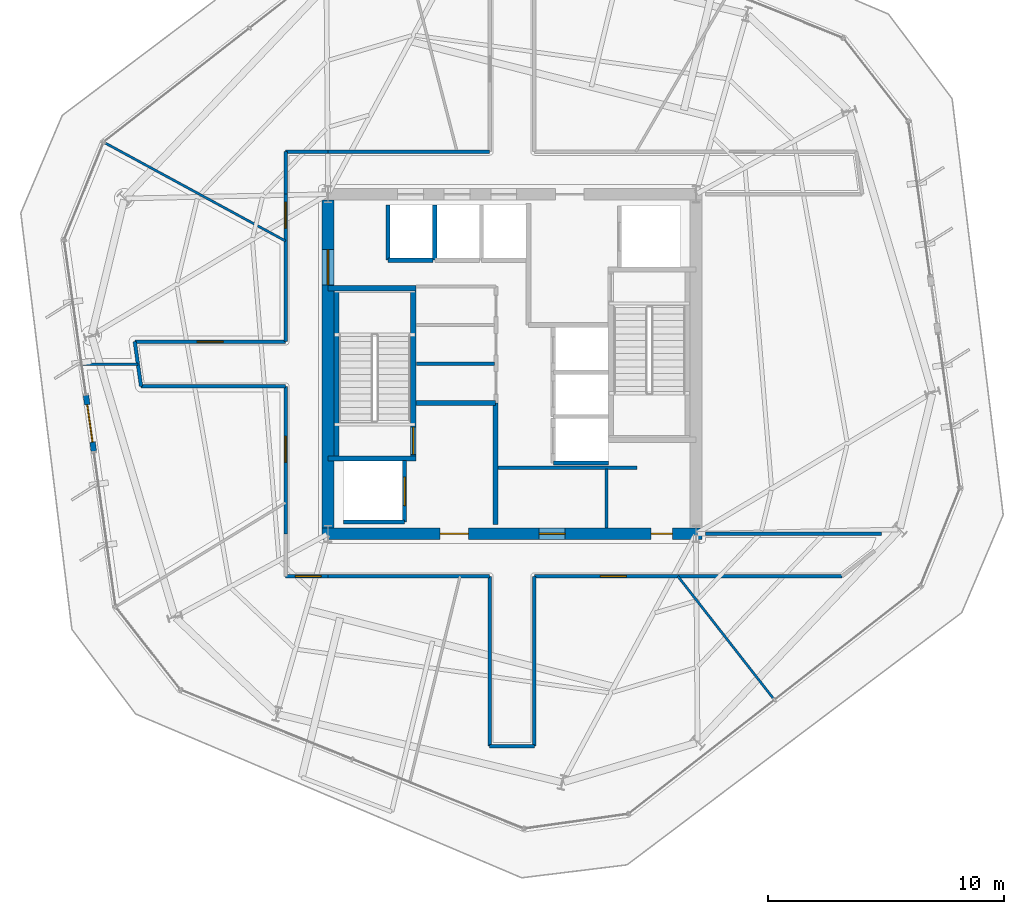
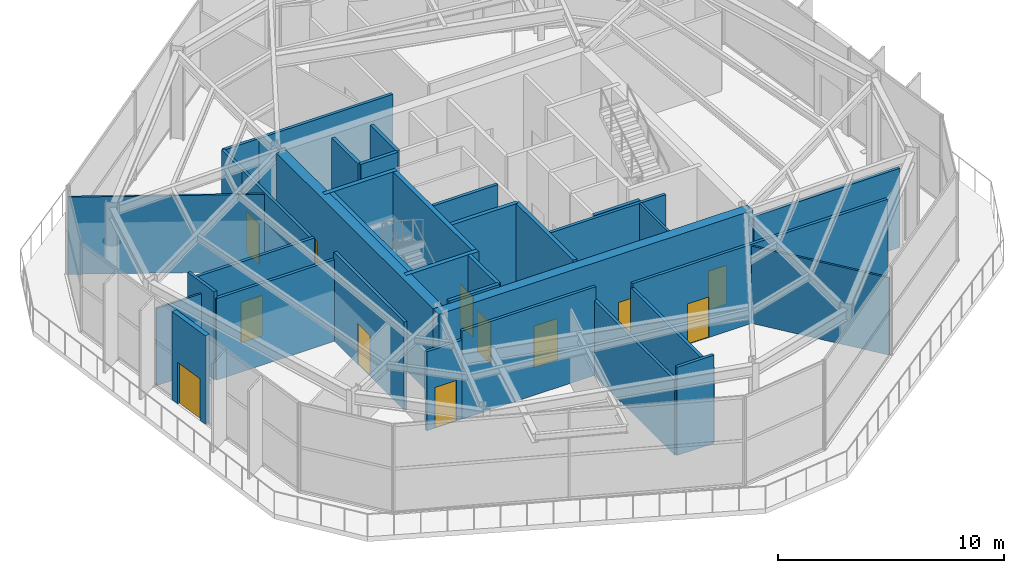
# One storey, part 9 of 14: 36 walls, 12 doors, 12 openings.
"""IFC4 building model written with IfcOpenShell, lengths in metres."""

from ifc_helpers import new_model, si_unit, direction, frame, frame_2d, origin, place, context, subcontext, project, spatial, rectangle, extrude, material, layer, layer_set, type_object, element, fill, save


model = new_model("IFC4")

# Units and contexts
model_context = context("Model", 3, precision=1e-05, world=origin(), true_north=direction((0.0, 1.0)))
body_context = subcontext(model_context, "Body", "Model", "MODEL_VIEW")
ifc_project = project(units=[si_unit("LENGTHUNIT", "METRE"), si_unit("AREAUNIT", "SQUARE_METRE"), si_unit("VOLUMEUNIT", "CUBIC_METRE"), si_unit("PLANEANGLEUNIT", "RADIAN"), si_unit("MASSUNIT", "GRAM", prefix="KILO")], contexts=[model_context])

# Site, building, storey
site_placement = place(None, origin())
site = spatial("IfcSite", under=ifc_project, at=site_placement, CompositionType="ELEMENT")
building_placement = place(site_placement, origin())
building = spatial("IfcBuilding", under=site, at=building_placement, Name="Kranzbogen Civic Tower", CompositionType="ELEMENT")
storey_placement = place(building_placement, frame((0.0, 0.0, 175.800048828125)))
storey = spatial("IfcBuildingStorey", under=building, at=storey_placement, Name="L42", CompositionType="ELEMENT", Elevation=175.800048828125)

# Wall
ifc_material_1 = material(Name="Double-Stud Acoustic Gypsum Partition")
ifc_layer_1 = layer(ifc_material_1, 0.14990234375, Name="Double-Stud Acoustic Gypsum Partition")
ifc_layer_set_1 = layer_set([ifc_layer_1], Name="Double-Stud Acoustic Gypsum Partition")
wall_type_1 = type_object("IfcWallType", Name="Acoustic Corridor and Clinical Partition 150 mm", PredefinedType="PARTITIONING", material=ifc_layer_set_1)
wall_1_placement = place(storey_placement, frame((24.39990234375, 20.610107421875, 0.0), z_axis=(0.0, 0.0, 1.0), x_axis=(1.0, 0.0, 0.0)))
element("IfcWall", 1, at=wall_1_placement, inside=storey, type_object=wall_type_1, Name="L42 records zone North wall", PredefinedType="PARTITIONING", context=body_context, shape_type="SweptSolid", body=[
    extrude(rectangle(XDim=5.900146484375, YDim=0.14990234375, at=frame_2d((2.9501953125, 0.0))), origin(), (0.0, 0.0, 1.0), 4.780029296875),
])

# Wall, opening, door
wall_2_placement = place(storey_placement, frame((17.199951171875, 16.0, 0.0), z_axis=(0.0, 0.0, 1.0), x_axis=(-1.0, 0.0, 0.0)))
wall_2 = element("IfcWall", 2, at=wall_2_placement, inside=storey, type_object=wall_type_1, Name="L42 corridor partition 01", PredefinedType="PARTITIONING", context=body_context, shape_type="SweptSolid", body=[
    extrude(rectangle(XDim=1.800048828125, YDim=0.14990234375, at=frame_2d((0.89990234375, 0.0))), origin(), (0.0, 0.0, 1.0), 4.280029296875),
])
opening_1_placement = place(wall_2_placement, frame((0.287109375, 0.0, 0.0)))
opening_1 = element("IfcOpeningElement", 3, at=opening_1_placement, cuts=wall_2, Name="Opening D-COR60", PredefinedType="OPENING", context=body_context, shape_type="SweptSolid", body=[
    extrude(rectangle(XDim=1.10009765625, YDim=2.199951171875, at=frame_2d((0.550048828125, 1.10009765625))), frame((0.0, 0.0849609375, 0.0), z_axis=(0.0, -1.0, 0.0), x_axis=(1.0, 0.0, 0.0)), (0.0, 0.0, 1.0), 0.169921875),
])
ifc_material_2 = material(Name="Oak Timber and Fire Core", Category="wood")
door_type_1 = type_object("IfcDoorType", Name="Corridor Acoustic Fire Door 1100x2200", OperationType="NOTDEFINED", PredefinedType="DOOR", material=ifc_material_2)
door_1_placement = place(opening_1_placement, origin())
door_1 = element("IfcDoor", 4, at=door_1_placement, inside=storey, type_object=door_type_1, Name="L42 Cultural Screening Clubroom door", OperationType="SINGLE_SWING_RIGHT", OverallHeight=2.199951171875, OverallWidth=1.10009765625, PredefinedType="DOOR", context=body_context, shape_type="SweptSolid", body=[
    extrude(rectangle(XDim=1.10009765625, YDim=2.199951171875, at=frame_2d((0.550048828125, 1.10009765625))), frame((0.0, 0.02490234375, 0.0), z_axis=(0.0, -1.0, 0.0), x_axis=(1.0, 0.0, 0.0)), (0.0, 0.0, 1.0), 0.050048828125),
])
fill(opening_1, door_1)

wall_3_placement = place(storey_placement, frame((15.39990234375, 17.800048828125, 0.0), z_axis=(0.0, 0.0, 1.0), x_axis=(0.0, 1.0, 0.0)))
wall_3 = element("IfcWall", 5, at=wall_3_placement, inside=storey, type_object=wall_type_1, Name="L42 corridor partition 03", PredefinedType="PARTITIONING", context=body_context, shape_type="SweptSolid", body=[
    extrude(rectangle(XDim=6.25, YDim=0.14990234375, at=frame_2d((3.125, 0.0))), origin(), (0.0, 0.0, 1.0), 4.780029296875),
])
opening_2_placement = place(wall_3_placement, frame((3.029052734375, 0.0, 0.0)))
opening_2 = element("IfcOpeningElement", 6, at=opening_2_placement, cuts=wall_3, Name="Opening D-COR60", PredefinedType="OPENING", context=body_context, shape_type="SweptSolid", body=[
    extrude(rectangle(XDim=1.10009765625, YDim=2.199951171875, at=frame_2d((0.550048828125, 1.10009765625))), frame((0.0, 0.0849609375, 0.0), z_axis=(0.0, -1.0, 0.0), x_axis=(1.0, 0.0, 0.0)), (0.0, 0.0, 1.0), 0.169921875),
])
door_2_placement = place(opening_2_placement, origin())
door_2 = element("IfcDoor", 7, at=door_2_placement, inside=storey, type_object=door_type_1, Name="L42 Urban Design Workshop door", OperationType="SINGLE_SWING_LEFT", OverallHeight=2.199951171875, OverallWidth=1.10009765625, PredefinedType="DOOR", context=body_context, shape_type="SweptSolid", body=[
    extrude(rectangle(XDim=1.10009765625, YDim=2.199951171875, at=frame_2d((0.550048828125, 1.10009765625))), frame((0.0, 0.02490234375, 0.0), z_axis=(0.0, -1.0, 0.0), x_axis=(1.0, 0.0, 0.0)), (0.0, 0.0, 1.0), 0.050048828125),
])
fill(opening_2, door_2)

# Walls
wall_4_placement = place(storey_placement, frame((15.39990234375, 24.050048828125, 0.0), z_axis=(0.0, 0.0, 1.0), x_axis=(-1.0, 0.0, 0.0)))
element("IfcWall", 8, at=wall_4_placement, inside=storey, type_object=wall_type_1, Name="L42 corridor partition 04", PredefinedType="PARTITIONING", context=body_context, shape_type="SweptSolid", body=[
    extrude(rectangle(XDim=6.1259765625, YDim=0.14990234375, at=frame_2d((3.06298828125, 0.0))), origin(), (0.0, 0.0, 1.0), 4.419921875),
])
wall_5_placement = place(storey_placement, frame((9.27392578125, 24.050048828125, 0.0), z_axis=(0.0, 0.0, 1.0), x_axis=(-0.139087149584, 0.990280144616, 0.0)))
element("IfcWall", 9, at=wall_5_placement, inside=storey, type_object=wall_type_1, Name="L42 corridor partition 05", PredefinedType="PARTITIONING", context=body_context, shape_type="SweptSolid", body=[
    extrude(rectangle(XDim=1.91845703125, YDim=0.14990234375, at=frame_2d((0.959228515625, 0.0))), origin(), (0.0, 0.0, 1.0), 4.780029296875),
])

# Wall, opening, door
wall_6_placement = place(storey_placement, frame((9.007080078125, 25.949951171875, 0.0), z_axis=(0.0, 0.0, 1.0), x_axis=(1.0, 0.0, 0.0)))
wall_6 = element("IfcWall", 10, at=wall_6_placement, inside=storey, type_object=wall_type_1, Name="L42 corridor partition 06", PredefinedType="PARTITIONING", context=body_context, shape_type="SweptSolid", body=[
    extrude(rectangle(XDim=6.392822265625, YDim=0.14990234375, at=frame_2d((3.1962890625, 0.0))), origin(), (0.0, 0.0, 1.0), 4.419921875),
])
opening_3_placement = place(wall_6_placement, frame((2.64697265625, 0.0, 0.0)))
opening_3 = element("IfcOpeningElement", 11, at=opening_3_placement, cuts=wall_6, Name="Opening D-COR60", PredefinedType="OPENING", context=body_context, shape_type="SweptSolid", body=[
    extrude(rectangle(XDim=1.10009765625, YDim=2.199951171875, at=frame_2d((0.550048828125, 1.10009765625))), frame((0.0, 0.0849609375, 0.0), z_axis=(0.0, -1.0, 0.0), x_axis=(1.0, 0.0, 0.0)), (0.0, 0.0, 1.0), 0.169921875),
])
door_3_placement = place(opening_3_placement, origin())
door_3 = element("IfcDoor", 12, at=door_3_placement, inside=storey, type_object=door_type_1, Name="L42 Civic Reference Library door", OperationType="SINGLE_SWING_RIGHT", OverallHeight=2.199951171875, OverallWidth=1.10009765625, PredefinedType="DOOR", context=body_context, shape_type="SweptSolid", body=[
    extrude(rectangle(XDim=1.10009765625, YDim=2.199951171875, at=frame_2d((0.550048828125, 1.10009765625))), frame((0.0, 0.02490234375, 0.0), z_axis=(0.0, -1.0, 0.0), x_axis=(1.0, 0.0, 0.0)), (0.0, 0.0, 1.0), 0.050048828125),
])
fill(opening_3, door_3)

wall_7_placement = place(storey_placement, frame((15.39990234375, 25.949951171875, 0.0), z_axis=(0.0, 0.0, 1.0), x_axis=(0.0, 1.0, 0.0)))
wall_7 = element("IfcWall", 13, at=wall_7_placement, inside=storey, type_object=wall_type_1, Name="L42 corridor partition 07", PredefinedType="PARTITIONING", context=body_context, shape_type="SweptSolid", body=[
    extrude(rectangle(XDim=6.25, YDim=0.14990234375, at=frame_2d((3.125, 0.0))), origin(), (0.0, 0.0, 1.0), 4.280029296875),
])
opening_4_placement = place(wall_7_placement, frame((4.81201171875, 0.0, 0.0)))
opening_4 = element("IfcOpeningElement", 14, at=opening_4_placement, cuts=wall_7, Name="Opening D-COR60", PredefinedType="OPENING", context=body_context, shape_type="SweptSolid", body=[
    extrude(rectangle(XDim=1.10009765625, YDim=2.199951171875, at=frame_2d((0.550048828125, 1.10009765625))), frame((0.0, 0.0849609375, 0.0), z_axis=(0.0, -1.0, 0.0), x_axis=(1.0, 0.0, 0.0)), (0.0, 0.0, 1.0), 0.169921875),
])
door_4_placement = place(opening_4_placement, origin())
door_4 = element("IfcDoor", 15, at=door_4_placement, inside=storey, type_object=door_type_1, Name="L42 Public Delegation Reception door", OperationType="SINGLE_SWING_RIGHT", OverallHeight=2.199951171875, OverallWidth=1.10009765625, PredefinedType="DOOR", context=body_context, shape_type="SweptSolid", body=[
    extrude(rectangle(XDim=1.10009765625, YDim=2.199951171875, at=frame_2d((0.550048828125, 1.10009765625))), frame((0.0, 0.02490234375, 0.0), z_axis=(0.0, -1.0, 0.0), x_axis=(1.0, 0.0, 0.0)), (0.0, 0.0, 1.0), 0.050048828125),
])
fill(opening_4, door_4)

# Walls
for number, where, z_axis, x_axis, name in (
    (16, (15.39990234375, 32.199951171875, 0.0), (0.0, 0.0, 1.0), (0.0, 1.0, 0.0), "L42 corridor partition 08"),
    (17, (15.39990234375, 34.0, 0.0), (0.0, 0.0, 1.0), (1.0, 0.0, 0.0), "L42 corridor partition 09"),
):
    element("IfcWall", number, at=place(storey_placement, frame(where, z_axis=z_axis, x_axis=x_axis)), inside=storey, type_object=wall_type_1, Name=name, PredefinedType="PARTITIONING", context=body_context, shape_type="SweptSolid", body=[
        extrude(rectangle(XDim=1.800048828125, YDim=0.14990234375, at=frame_2d((0.89990234375, 0.0))), origin(), (0.0, 0.0, 1.0), 4.280029296875),
    ])
wall_8_placement = place(storey_placement, frame((17.199951171875, 34.0, 0.0), z_axis=(0.0, 0.0, 1.0), x_axis=(1.0, 0.0, 0.0)))
element("IfcWall", 18, at=wall_8_placement, inside=storey, type_object=wall_type_1, Name="L42 corridor partition 10", PredefinedType="PARTITIONING", context=body_context, shape_type="SweptSolid", body=[
    extrude(rectangle(XDim=6.85009765625, YDim=0.14990234375, at=frame_2d((3.425048828125, 0.0))), origin(), (0.0, 0.0, 1.0), 4.280029296875),
])
wall_9_placement = place(storey_placement, frame((33.197998046875, 17.800048828125, 0.0), z_axis=(0.0, 0.0, 1.0), x_axis=(1.0, 0.0, 0.0)))
element("IfcWall", 19, at=wall_9_placement, inside=storey, type_object=wall_type_1, Name="L42 corridor partition 17", PredefinedType="PARTITIONING", context=body_context, shape_type="SweptSolid", body=[
    extrude(rectangle(XDim=7.467041015625, YDim=0.14990234375, at=frame_2d((3.7333984375, 0.0))), origin(), (0.0, 0.0, 1.0), 4.280029296875),
])

# Wall, opening, door
wall_10_placement = place(storey_placement, frame((38.989013671875, 16.0, 0.0), z_axis=(0.0, 0.0, 1.0), x_axis=(-1.0, 0.0, 0.0)))
wall_10 = element("IfcWall", 20, at=wall_10_placement, inside=storey, type_object=wall_type_1, Name="L42 corridor partition 19", PredefinedType="PARTITIONING", context=body_context, shape_type="SweptSolid", body=[
    extrude(rectangle(XDim=13.0390625, YDim=0.14990234375, at=frame_2d((6.51953125, 0.0))), origin(), (0.0, 0.0, 1.0), 4.280029296875),
])
opening_5_placement = place(wall_10_placement, frame((9.14404296875, 0.0, 0.0)))
opening_5 = element("IfcOpeningElement", 21, at=opening_5_placement, cuts=wall_10, Name="Opening D-COR60", PredefinedType="OPENING", context=body_context, shape_type="SweptSolid", body=[
    extrude(rectangle(XDim=1.10009765625, YDim=2.199951171875, at=frame_2d((0.550048828125, 1.10009765625))), frame((0.0, 0.0849609375, 0.0), z_axis=(0.0, -1.0, 0.0), x_axis=(1.0, 0.0, 0.0)), (0.0, 0.0, 1.0), 0.169921875),
])
door_5_placement = place(opening_5_placement, origin())
door_5 = element("IfcDoor", 22, at=door_5_placement, inside=storey, type_object=door_type_1, Name="L42 Staff Tea Pantry door", OperationType="SINGLE_SWING_LEFT", OverallHeight=2.199951171875, OverallWidth=1.10009765625, PredefinedType="DOOR", context=body_context, shape_type="SweptSolid", body=[
    extrude(rectangle(XDim=1.10009765625, YDim=2.199951171875, at=frame_2d((0.550048828125, 1.10009765625))), frame((0.0, 0.02490234375, 0.0), z_axis=(0.0, -1.0, 0.0), x_axis=(1.0, 0.0, 0.0)), (0.0, 0.0, 1.0), 0.050048828125),
])
fill(opening_5, door_5)

# Walls
wall_11_placement = place(storey_placement, frame((25.949951171875, 16.0, 0.0), z_axis=(0.0, 0.0, 1.0), x_axis=(0.0, -1.0, 0.0)))
element("IfcWall", 23, at=wall_11_placement, inside=storey, type_object=wall_type_1, Name="L42 corridor partition 20", PredefinedType="PARTITIONING", context=body_context, shape_type="SweptSolid", body=[
    extrude(rectangle(XDim=7.199951171875, YDim=0.14990234375, at=frame_2d((3.60009765625, 0.0))), origin(), (0.0, 0.0, 1.0), 4.050048828125),
])
wall_12_placement = place(storey_placement, frame((25.949951171875, 8.800048828125, 0.0), z_axis=(0.0, 0.0, 1.0), x_axis=(-1.0, 0.0, 0.0)))
element("IfcWall", 24, at=wall_12_placement, inside=storey, type_object=wall_type_1, Name="L42 corridor partition 21", PredefinedType="PARTITIONING", context=body_context, shape_type="SweptSolid", body=[
    extrude(rectangle(XDim=1.89990234375, YDim=0.14990234375, at=frame_2d((0.949951171875, 0.0))), origin(), (0.0, 0.0, 1.0), 4.780029296875),
])
wall_13_placement = place(storey_placement, frame((24.050048828125, 8.800048828125, 0.0), z_axis=(0.0, 0.0, 1.0), x_axis=(0.0, 1.0, 0.0)))
element("IfcWall", 25, at=wall_13_placement, inside=storey, type_object=wall_type_1, Name="L42 corridor partition 22", PredefinedType="PARTITIONING", context=body_context, shape_type="SweptSolid", body=[
    extrude(rectangle(XDim=7.199951171875, YDim=0.14990234375, at=frame_2d((3.60009765625, 0.0))), origin(), (0.0, 0.0, 1.0), 4.050048828125),
])
wall_14_placement = place(storey_placement, frame((24.050048828125, 16.0, 0.0), z_axis=(0.0, 0.0, 1.0), x_axis=(-1.0, 0.0, 0.0)))
element("IfcWall", 26, at=wall_14_placement, inside=storey, type_object=wall_type_1, Name="L42 corridor partition 23", PredefinedType="PARTITIONING", context=body_context, shape_type="SweptSolid", body=[
    extrude(rectangle(XDim=6.85009765625, YDim=0.14990234375, at=frame_2d((3.425048828125, 0.0))), origin(), (0.0, 0.0, 1.0), 4.780029296875),
])
ifc_material_3 = material(Name="Insulated Metal-Stud Gypsum Partition")
ifc_layer_2 = layer(ifc_material_3, 0.125, Name="Insulated Metal-Stud Gypsum Partition")
ifc_layer_set_2 = layer_set([ifc_layer_2], Name="Insulated Metal-Stud Gypsum Partition")
wall_type_2 = type_object("IfcWallType", Name="Acoustic Inter-Room Partition 125 mm", PredefinedType="PARTITIONING", material=ifc_layer_set_2)
wall_15_placement = place(storey_placement, frame((29.010009765625, 18.050048828125, 0.0), z_axis=(0.0, 0.0, 1.0), x_axis=(0.0, 1.0, 0.0)))
element("IfcWall", 27, at=wall_15_placement, inside=storey, type_object=wall_type_2, Name="L42 core auxiliary partition 1", PredefinedType="PARTITIONING", context=body_context, shape_type="SweptSolid", body=[
    extrude(rectangle(XDim=2.5, YDim=0.125, at=frame_2d((1.25, 0.0))), origin(), (0.0, 0.0, 1.0), 4.780029296875),
])

# Wall, openings, doors
ifc_material_4 = material(Name="Concrete C45/55", Category="concrete")
ifc_layer_3 = layer(ifc_material_4, 0.5, Name="Concrete C45/55")
ifc_layer_set_3 = layer_set([ifc_layer_3], Name="Concrete C45/55")
wall_type_3 = type_object("IfcWallType", Name="Central Core Shear Wall 500 mm", PredefinedType="SHEAR", material=ifc_layer_set_3)
wall_16_placement = place(storey_placement, frame((16.949951171875, 17.800048828125, 0.0), z_axis=(0.0, 0.0, 1.0), x_axis=(1.0, 0.0, 0.0)))
wall_16 = element("IfcWall", 28, at=wall_16_placement, inside=storey, type_object=wall_type_3, Name="L42 central core South shear wall", PredefinedType="SHEAR", context=body_context, shape_type="SweptSolid", body=[
    extrude(rectangle(XDim=16.10009765625, YDim=0.5, at=frame_2d((8.050048828125, 0.0))), origin(), (0.0, 0.0, 1.0), 4.780029296875),
])
opening_6_placement = place(wall_16_placement, frame((5.0, 0.0, 0.0)))
opening_6 = element("IfcOpeningElement", 29, at=opening_6_placement, cuts=wall_16, Name="Opening D-EX120", PredefinedType="OPENING", context=body_context, shape_type="SweptSolid", body=[
    extrude(rectangle(XDim=1.199951171875, YDim=2.25, at=frame_2d((0.60009765625, 1.125))), frame((0.0, 0.260009765625, 0.0), z_axis=(0.0, -1.0, 0.0), x_axis=(1.0, 0.0, 0.0)), (0.0, 0.0, 1.0), 0.52001953125),
])
opening_7_placement = place(wall_16_placement, frame((13.949951171875, 0.0, 0.0)))
opening_7 = element("IfcOpeningElement", 30, at=opening_7_placement, cuts=wall_16, Name="Opening D-WC90", PredefinedType="OPENING", context=body_context, shape_type="SweptSolid", body=[
    extrude(rectangle(XDim=0.89990234375, YDim=2.10009765625, at=frame_2d((0.449951171875, 1.050048828125))), frame((0.0, 0.260009765625, 0.0), z_axis=(0.0, -1.0, 0.0), x_axis=(1.0, 0.0, 0.0)), (0.0, 0.0, 1.0), 0.52001953125),
])
opening_8_placement = place(wall_16_placement, frame((9.199951171875, 0.0, 0.0)))
opening_8 = element("IfcOpeningElement", 31, at=opening_8_placement, cuts=wall_16, Name="Opening D-COR60", PredefinedType="OPENING", context=body_context, shape_type="SweptSolid", body=[
    extrude(rectangle(XDim=1.10009765625, YDim=2.199951171875, at=frame_2d((0.550048828125, 1.10009765625))), frame((0.0, 0.260009765625, 0.0), z_axis=(0.0, -1.0, 0.0), x_axis=(1.0, 0.0, 0.0)), (0.0, 0.0, 1.0), 0.52001953125),
])
door_6_placement = place(opening_8_placement, origin())
door_6 = element("IfcDoor", 32, at=door_6_placement, inside=storey, type_object=door_type_1, Name="L42 REC1 archive room door", OperationType="SINGLE_SWING_LEFT", OverallHeight=2.199951171875, OverallWidth=1.10009765625, PredefinedType="DOOR", context=body_context, shape_type="SweptSolid", body=[
    extrude(rectangle(XDim=1.10009765625, YDim=2.199951171875, at=frame_2d((0.550048828125, 1.10009765625))), frame((0.0, 0.02490234375, 0.0), z_axis=(0.0, -1.0, 0.0), x_axis=(1.0, 0.0, 0.0)), (0.0, 0.0, 1.0), 0.050048828125),
])
fill(opening_8, door_6)
ifc_material_5 = material(Name="Steel S355", Category="steel")
door_type_2 = type_object("IfcDoorType", Name="Exit Passageway Fire Door 1200x2250", OperationType="NOTDEFINED", PredefinedType="DOOR", material=ifc_material_5)
door_7_placement = place(opening_6_placement, origin())
door_7 = element("IfcDoor", 33, at=door_7_placement, inside=storey, type_object=door_type_2, Name="L42 West firefighting lobby corridor door", OperationType="SINGLE_SWING_LEFT", OverallHeight=2.25, OverallWidth=1.199951171875, PredefinedType="DOOR", context=body_context, shape_type="SweptSolid", body=[
    extrude(rectangle(XDim=1.199951171875, YDim=2.25, at=frame_2d((0.60009765625, 1.125))), frame((0.0, 0.02490234375, 0.0), z_axis=(0.0, -1.0, 0.0), x_axis=(1.0, 0.0, 0.0)), (0.0, 0.0, 1.0), 0.050048828125),
])
fill(opening_6, door_7)
ifc_material_6 = material(Name="Moisture-Resistant Laminate")
door_type_3 = type_object("IfcDoorType", Name="Standard Restroom and Store Door 900x2100", OperationType="NOTDEFINED", PredefinedType="DOOR", material=ifc_material_6)
door_8_placement = place(opening_7_placement, origin())
door_8 = element("IfcDoor", 34, at=door_8_placement, inside=storey, type_object=door_type_3, Name="L42 East electrical riser access door", OperationType="SINGLE_SWING_RIGHT", OverallHeight=2.10009765625, OverallWidth=0.89990234375, PredefinedType="DOOR", context=body_context, shape_type="SweptSolid", body=[
    extrude(rectangle(XDim=0.89990234375, YDim=2.10009765625, at=frame_2d((0.449951171875, 1.050048828125))), frame((0.0, 0.02490234375, 0.0), z_axis=(0.0, -1.0, 0.0), x_axis=(1.0, 0.0, 0.0)), (0.0, 0.0, 1.0), 0.050048828125),
])
fill(opening_7, door_8)

# Wall, opening, door
wall_17_placement = place(storey_placement, frame((17.199951171875, 31.949951171875, 0.0), z_axis=(0.0, 0.0, 1.0), x_axis=(0.0, -1.0, 0.0)))
wall_17 = element("IfcWall", 35, at=wall_17_placement, inside=storey, type_object=wall_type_3, Name="L42 central core West shear wall", PredefinedType="SHEAR", context=body_context, shape_type="SweptSolid", body=[
    extrude(rectangle(XDim=13.89990234375, YDim=0.5, at=frame_2d((6.949951171875, 0.0))), origin(), (0.0, 0.0, 1.0), 4.780029296875),
])
opening_9_placement = place(wall_17_placement, frame((2.10009765625, 0.0, 0.0)))
opening_9 = element("IfcOpeningElement", 36, at=opening_9_placement, cuts=wall_17, Name="Opening D-DBL15", PredefinedType="OPENING", context=body_context, shape_type="SweptSolid", body=[
    extrude(rectangle(XDim=1.5, YDim=2.199951171875, at=frame_2d((0.75, 1.10009765625))), frame((0.0, 0.260009765625, 0.0), z_axis=(0.0, -1.0, 0.0), x_axis=(1.0, 0.0, 0.0)), (0.0, 0.0, 1.0), 0.52001953125),
])
ifc_material_7 = material(Name="Anodised Bronze and Glass", Category="glass")
door_type_4 = type_object("IfcDoorType", Name="Civic Lobby Double Door 1500x2200", OperationType="DOUBLE_DOOR_SINGLE_SWING", PredefinedType="DOOR", material=ifc_material_7)
door_9_placement = place(opening_9_placement, origin())
door_9 = element("IfcDoor", 37, at=door_9_placement, inside=storey, type_object=door_type_4, Name="L42 Central Lift Lobby West concourse door", OperationType="DOUBLE_DOOR_SINGLE_SWING", OverallHeight=2.199951171875, OverallWidth=1.5, PredefinedType="DOOR", context=body_context, shape_type="SweptSolid", body=[
    extrude(rectangle(XDim=1.5, YDim=2.199951171875, at=frame_2d((0.75, 1.10009765625))), frame((0.0, 0.02490234375, 0.0), z_axis=(0.0, -1.0, 0.0), x_axis=(1.0, 0.0, 0.0)), (0.0, 0.0, 1.0), 0.050048828125),
])
fill(opening_9, door_9)

ifc_layer_4 = layer(ifc_material_4, 0.219970703125, Name="Concrete C45/55")
ifc_layer_set_4 = layer_set([ifc_layer_4], Name="Concrete C45/55")
wall_type_4 = type_object("IfcWallType", Name="Core Internal Stair Structural Wall 220 mm", PredefinedType="SOLIDWALL", material=ifc_layer_set_4)
wall_18_placement = place(storey_placement, frame((20.81005859375, 20.989990234375, 0.0), z_axis=(0.0, 0.0, 1.0), x_axis=(0.0, 1.0, 0.0)))
wall_18 = element("IfcWall", 38, at=wall_18_placement, inside=storey, type_object=wall_type_4, Name="L42 ST-T1 East structural stair wall", PredefinedType="SOLIDWALL", context=body_context, shape_type="SweptSolid", body=[
    extrude(rectangle(XDim=7.219970703125, YDim=0.219970703125, at=frame_2d((3.60986328125, 0.0))), origin(), (0.0, 0.0, 1.0), 4.780029296875),
])
opening_10_placement = place(wall_18_placement, frame((0.179931640625, 0.0, 0.0)))
opening_10 = element("IfcOpeningElement", 39, at=opening_10_placement, cuts=wall_18, Name="Opening D-ST90", PredefinedType="OPENING", context=body_context, shape_type="SweptSolid", body=[
    extrude(rectangle(XDim=1.14990234375, YDim=2.199951171875, at=frame_2d((0.574951171875, 1.10009765625))), frame((0.0, 0.1201171875, 0.0), z_axis=(0.0, -1.0, 0.0), x_axis=(1.0, 0.0, 0.0)), (0.0, 0.0, 1.0), 0.239990234375),
])
door_type_5 = type_object("IfcDoorType", Name="Pressurized Stair and Lobby Fire Door 1150x2200", OperationType="NOTDEFINED", PredefinedType="DOOR", material=ifc_material_5)
door_10_placement = place(opening_10_placement, origin())
door_10 = element("IfcDoor", 40, at=door_10_placement, inside=storey, type_object=door_type_5, Name="L42 Stair ST-T1 fire door", OperationType="SINGLE_SWING_LEFT", OverallHeight=2.199951171875, OverallWidth=1.14990234375, PredefinedType="DOOR", context=body_context, shape_type="SweptSolid", body=[
    extrude(rectangle(XDim=1.14990234375, YDim=2.199951171875, at=frame_2d((0.574951171875, 1.10009765625))), frame((0.0, 0.02490234375, 0.0), z_axis=(0.0, -1.0, 0.0), x_axis=(1.0, 0.0, 0.0)), (0.0, 0.0, 1.0), 0.050048828125),
])
fill(opening_10, door_10)

# Walls
for number, where, z_axis, x_axis, name in (
    (41, (17.199951171875, 20.989990234375, 0.0), (0.0, 0.0, 1.0), (1.0, 0.0, 0.0), "L42 ST-T1 South structural stair wall"),
    (42, (17.199951171875, 28.2099609375, 0.0), (0.0, 0.0, 1.0), (1.0, 0.0, 0.0), "L42 ST-T1 North structural stair wall"),
):
    element("IfcWall", number, at=place(storey_placement, frame(where, z_axis=z_axis, x_axis=x_axis)), inside=storey, type_object=wall_type_4, Name=name, PredefinedType="SOLIDWALL", context=body_context, shape_type="SweptSolid", body=[
        extrude(rectangle(XDim=3.719970703125, YDim=0.219970703125, at=frame_2d((1.85986328125, 0.0))), origin(), (0.0, 0.0, 1.0), 4.780029296875),
    ])
wall_19_placement = place(storey_placement, frame((17.554931640625, 28.2099609375, 0.0), z_axis=(0.0, 0.0, 1.0), x_axis=(0.0, -1.0, 0.0)))
element("IfcWall", 43, at=wall_19_placement, inside=storey, type_object=wall_type_4, Name="L42 ST-T1 West structural stair wall", PredefinedType="SOLIDWALL", context=body_context, shape_type="SweptSolid", body=[
    extrude(rectangle(XDim=7.219970703125, YDim=0.219970703125, at=frame_2d((3.60986328125, 0.0))), origin(), (0.0, 0.0, 1.0), 4.780029296875),
])
ifc_material_8 = material(Name="Demountable Aluminium and Gypsum Partition", Category="aluminium")
ifc_layer_5 = layer(ifc_material_8, 0.10009765625, Name="Demountable Aluminium and Gypsum Partition")
ifc_layer_set_5 = layer_set([ifc_layer_5], Name="Demountable Aluminium and Gypsum Partition")
wall_type_5 = type_object("IfcWallType", Name="Demountable Office Partition 100 mm", PredefinedType="MOVABLE", material=ifc_layer_set_5)
wall_20_placement = place(storey_placement, frame((15.39990234375, 30.215087890625, 0.0), z_axis=(0.0, 0.0, 1.0), x_axis=(-0.878736567254, 0.477307076597, 0.0)))
element("IfcWall", 44, at=wall_20_placement, inside=storey, type_object=wall_type_5, Name="L42 radial room partition 03", PredefinedType="MOVABLE", context=body_context, shape_type="SweptSolid", body=[
    extrude(rectangle(XDim=8.761474609375, YDim=0.10009765625, at=frame_2d((4.380859375, 0.0))), origin(), (0.0, 0.0, 1.0), 4.179931640625),
])
wall_21_placement = place(storey_placement, frame((32.031982421875, 16.0, 0.0), z_axis=(0.0, 0.0, 1.0), x_axis=(0.615676896023, -0.787998705395, 0.0)))
element("IfcWall", 45, at=wall_21_placement, inside=storey, type_object=wall_type_5, Name="L42 radial room partition 06", PredefinedType="MOVABLE", context=body_context, shape_type="SweptSolid", body=[
    extrude(rectangle(XDim=6.63330078125, YDim=0.10009765625, at=frame_2d((3.316650390625, 0.0))), origin(), (0.0, 0.0, 1.0), 4.179931640625),
])
wall_22_placement = place(storey_placement, frame((9.14208984375, 24.991943359375, 0.0), z_axis=(0.0, 0.0, 1.0), x_axis=(-0.999999661298, -0.000823044989, 0.0)))
element("IfcWall", 46, at=wall_22_placement, inside=storey, type_object=wall_type_5, Name="L42 radial room partition 07", PredefinedType="MOVABLE", context=body_context, shape_type="SweptSolid", body=[
    extrude(rectangle(XDim=2.373046875, YDim=0.10009765625, at=frame_2d((1.1865234375, 0.0))), origin(), (0.0, 0.0, 1.0), 4.179931640625),
])
ifc_material_9 = material(Name="Gypsum Fireboard and Concrete Block", Category="concrete")
ifc_layer_6 = layer(ifc_material_9, 0.199951171875, Name="Gypsum Fireboard and Concrete Block")
ifc_layer_set_6 = layer_set([ifc_layer_6], Name="Gypsum Fireboard and Concrete Block")
wall_type_6 = type_object("IfcWallType", Name="Fire-Rated Exit Passageway and Stair Wall 200 mm", PredefinedType="PARTITIONING", material=ifc_layer_set_6)
wall_23_placement = place(storey_placement, frame((24.300048828125, 18.199951171875, 0.0), z_axis=(0.0, 0.0, 1.0), x_axis=(0.0, 1.0, 0.0)))
element("IfcWall", 47, at=wall_23_placement, inside=storey, type_object=wall_type_6, Name="L42 West firefighting lobby East wall", PredefinedType="PARTITIONING", context=body_context, shape_type="SweptSolid", body=[
    extrude(rectangle(XDim=5.150146484375, YDim=0.199951171875, at=frame_2d((2.5751953125, 0.0))), origin(), (0.0, 0.0, 1.0), 4.780029296875),
])
wall_24_placement = place(storey_placement, frame((20.919921875, 23.35009765625, 0.0), z_axis=(0.0, 0.0, 1.0), x_axis=(1.0, 0.0, 0.0)))
element("IfcWall", 48, at=wall_24_placement, inside=storey, type_object=wall_type_6, Name="L42 West firefighting lobby North wall", PredefinedType="PARTITIONING", context=body_context, shape_type="SweptSolid", body=[
    extrude(rectangle(XDim=3.380126953125, YDim=0.199951171875, at=frame_2d((1.68994140625, 0.0))), origin(), (0.0, 0.0, 1.0), 4.780029296875),
])
ifc_material_10 = material(Name="Gypsum Fireboard Shaftliner")
ifc_layer_7 = layer(ifc_material_10, 0.175048828125, Name="Gypsum Fireboard Shaftliner")
ifc_layer_set_7 = layer_set([ifc_layer_7], Name="Gypsum Fireboard Shaftliner")
wall_type_7 = type_object("IfcWallType", Name="Fire-Rated Lift and Service Shaft Wall 175 mm", PredefinedType="PARTITIONING", material=ifc_layer_set_7)
wall_25_placement = place(storey_placement, frame((19.75, 29.39990234375, 0.0), z_axis=(0.0, 0.0, 1.0), x_axis=(1.0, 0.0, 0.0)))
element("IfcWall", 49, at=wall_25_placement, inside=storey, type_object=wall_type_7, Name="L42 lift MP-01 rear wall", PredefinedType="PARTITIONING", context=body_context, shape_type="SweptSolid", body=[
    extrude(rectangle(XDim=1.89990234375, YDim=0.175048828125, at=frame_2d((0.949951171875, 0.0))), origin(), (0.0, 0.0, 1.0), 4.780029296875),
])
for number, where, z_axis, x_axis, name in (
    (50, (19.75, 29.39990234375, 0.0), (0.0, 0.0, 1.0), (0.0, 1.0, 0.0), "L42 lift MP-01 side wall"),
    (51, (21.72509765625, 29.39990234375, 0.0), (0.0, 0.0, 1.0), (0.0, 1.0, 0.0), "L42 lift MP-02 side wall"),
    (52, (26.75, 20.800048828125, 0.0), (0.0, 0.0, 1.0), (1.0, 0.0, 0.0), "L42 lift HP-01 side wall"),
):
    element("IfcWall", number, at=place(storey_placement, frame(where, z_axis=z_axis, x_axis=x_axis)), inside=storey, type_object=wall_type_7, Name=name, PredefinedType="PARTITIONING", context=body_context, shape_type="SweptSolid", body=[
        extrude(rectangle(XDim=2.35009765625, YDim=0.175048828125, at=frame_2d((1.175048828125, 0.0))), origin(), (0.0, 0.0, 1.0), 4.780029296875),
    ])

# Wall, opening, door
wall_26_placement = place(storey_placement, frame((20.449951171875, 18.300048828125, 0.0), z_axis=(0.0, 0.0, 1.0), x_axis=(0.0, 1.0, 0.0)))
wall_26 = element("IfcWall", 53, at=wall_26_placement, inside=storey, type_object=wall_type_7, Name="L42 lift FF-01 landing wall", PredefinedType="PARTITIONING", context=body_context, shape_type="SweptSolid", body=[
    extrude(rectangle(XDim=2.599853515625, YDim=0.175048828125, at=frame_2d((1.2998046875, 0.0))), origin(), (0.0, 0.0, 1.0), 4.780029296875),
])
opening_11_placement = place(wall_26_placement, frame((0.699951171875, 0.0, 0.0)))
opening_11 = element("IfcOpeningElement", 54, at=opening_11_placement, cuts=wall_26, Name="Opening LD-FF-01", PredefinedType="OPENING", context=body_context, shape_type="SweptSolid", body=[
    extrude(rectangle(XDim=1.199951171875, YDim=2.199951171875, at=frame_2d((0.60009765625, 1.10009765625))), frame((0.0, 0.09765625, 0.0), z_axis=(0.0, -1.0, 0.0), x_axis=(1.0, 0.0, 0.0)), (0.0, 0.0, 1.0), 0.195068359375),
])
ifc_material_11 = material(Name="Pale Anodised Aluminium", Category="aluminium")
door_type_6 = type_object("IfcDoorType", Name="Firefighting and Stretcher Lift Sliding Landing Door 1200x2200", OperationType="DOUBLE_DOOR_SLIDING", PredefinedType="DOOR", material=ifc_material_11)
door_11_placement = place(opening_11_placement, origin())
door_11 = element("IfcDoor", 55, at=door_11_placement, inside=storey, type_object=door_type_6, Name="L42 lift FF-01 sliding landing door", OperationType="DOUBLE_DOOR_SLIDING", OverallHeight=2.199951171875, OverallWidth=1.199951171875, PredefinedType="DOOR", context=body_context, shape_type="SweptSolid", body=[
    extrude(rectangle(XDim=1.199951171875, YDim=2.199951171875, at=frame_2d((0.60009765625, 1.10009765625))), frame((0.0, 0.02490234375, 0.0), z_axis=(0.0, -1.0, 0.0), x_axis=(1.0, 0.0, 0.0)), (0.0, 0.0, 1.0), 0.050048828125),
])
fill(opening_11, door_11)

# Wall
wall_27_placement = place(storey_placement, frame((17.85009765625, 18.300048828125, 0.0), z_axis=(0.0, 0.0, 1.0), x_axis=(1.0, 0.0, 0.0)))
element("IfcWall", 56, at=wall_27_placement, inside=storey, type_object=wall_type_7, Name="L42 lift FF-01 side wall", PredefinedType="PARTITIONING", context=body_context, shape_type="SweptSolid", body=[
    extrude(rectangle(XDim=2.599853515625, YDim=0.175048828125, at=frame_2d((1.2998046875, 0.0))), origin(), (0.0, 0.0, 1.0), 4.780029296875),
])

# Wall, opening, door
ifc_layer_8 = layer(ifc_material_11, 0.239990234375, Name="Pale Anodised Aluminium")
ifc_layer_set_8 = layer_set([ifc_layer_8], Name="Pale Anodised Aluminium")
wall_type_8 = type_object("IfcWallType", Name="Insulated Aluminium Facade Portal Wall 240 mm", PredefinedType="STANDARD", material=ifc_layer_set_8)
wall_28_placement = place(storey_placement, frame((6.93701171875, 23.673095703125, 0.0), z_axis=(0.0, 0.0, 1.0), x_axis=(0.139198704787, -0.990264470021, 0.0)))
wall_28 = element("IfcWall", 57, at=wall_28_placement, inside=storey, type_object=wall_type_8, Name="L42 exterior entrance portal wall 1", PredefinedType="STANDARD", context=body_context, shape_type="SweptSolid", body=[
    extrude(rectangle(XDim=2.3994140625, YDim=0.239990234375, at=frame_2d((1.19970703125, 0.0))), origin(), (0.0, 0.0, 1.0), 4.780029296875),
])
opening_12_placement = place(wall_28_placement, frame((0.39990234375, 0.0, 0.0)))
opening_12 = element("IfcOpeningElement", 58, at=opening_12_placement, cuts=wall_28, Name="Opening D-TER", PredefinedType="OPENING", context=body_context, shape_type="SweptSolid", body=[
    extrude(rectangle(XDim=1.60009765625, YDim=2.25, at=frame_2d((0.800048828125, 1.125))), frame((0.0, 0.1298828125, 0.0), z_axis=(0.0, -1.0, 0.0), x_axis=(1.0, 0.0, 0.0)), (0.0, 0.0, 1.0), 0.260009765625),
])
ifc_material_12 = material(Name="Anodised Bronze and Triple Glass", Category="glass")
door_type_7 = type_object("IfcDoorType", Name="Glazed Terrace and Balcony Double Door 1600x2250", OperationType="DOUBLE_DOOR_SINGLE_SWING", PredefinedType="DOOR", material=ifc_material_12)
door_12_placement = place(opening_12_placement, frame((1.60009765625, 0.0, 0.0), z_axis=(0.0, 0.0, 1.0), x_axis=(-1.0, 0.0, 0.0)))
door_12 = element("IfcDoor", 59, at=door_12_placement, inside=storey, type_object=door_type_7, Name="L42 tree balcony access door L42-TB2", OperationType="DOUBLE_DOOR_SINGLE_SWING", OverallHeight=2.25, OverallWidth=1.60009765625, PredefinedType="DOOR", context=body_context, shape_type="SweptSolid", body=[
    extrude(rectangle(XDim=1.60009765625, YDim=2.25, at=frame_2d((0.800048828125, 1.125))), frame((0.0, 0.02490234375, 0.0), z_axis=(0.0, -1.0, 0.0), x_axis=(1.0, 0.0, 0.0)), (0.0, 0.0, 1.0), 0.050048828125),
])
fill(opening_12, door_12)

# Wall
ifc_material_13 = material(Name="Moisture-Resistant Gypsum Assembly")
ifc_layer_9 = layer(ifc_material_13, 0.159912109375, Name="Moisture-Resistant Gypsum Assembly")
ifc_layer_set_9 = layer_set([ifc_layer_9], Name="Moisture-Resistant Gypsum Assembly")
wall_type_9 = type_object("IfcWallType", Name="Sanitary and Plumbing Wet Wall 160 mm", PredefinedType="PLUMBINGWALL", material=ifc_layer_set_9)
wall_29_placement = place(storey_placement, frame((20.949951171875, 25.010009765625, 0.0), z_axis=(0.0, 0.0, 1.0), x_axis=(1.0, 0.0, 0.0)))
element("IfcWall", 60, at=wall_29_placement, inside=storey, type_object=wall_type_9, Name="L42 core auxiliary partition 2", PredefinedType="PLUMBINGWALL", context=body_context, shape_type="SweptSolid", body=[
    extrude(rectangle(XDim=3.300048828125, YDim=0.159912109375, at=frame_2d((1.64990234375, 0.0))), origin(), (0.0, 0.0, 1.0), 4.780029296875),
])

save(model, "model.ifc")
